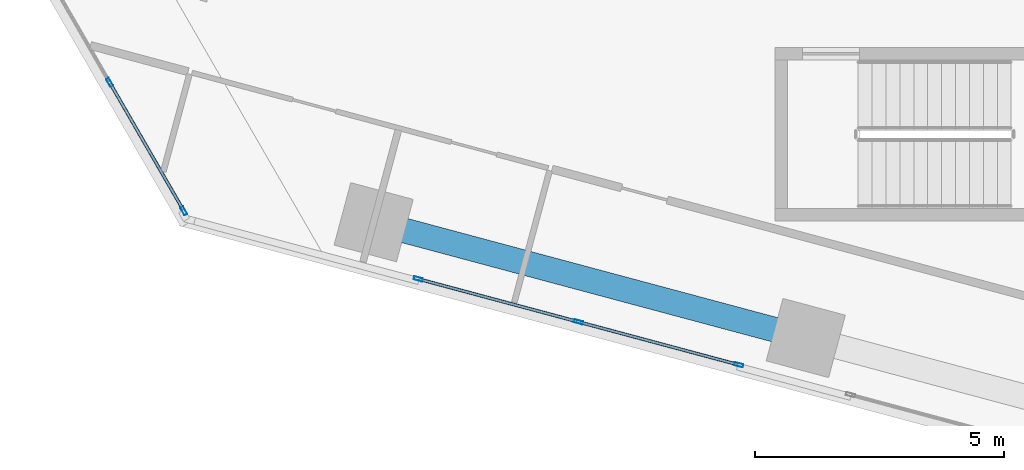
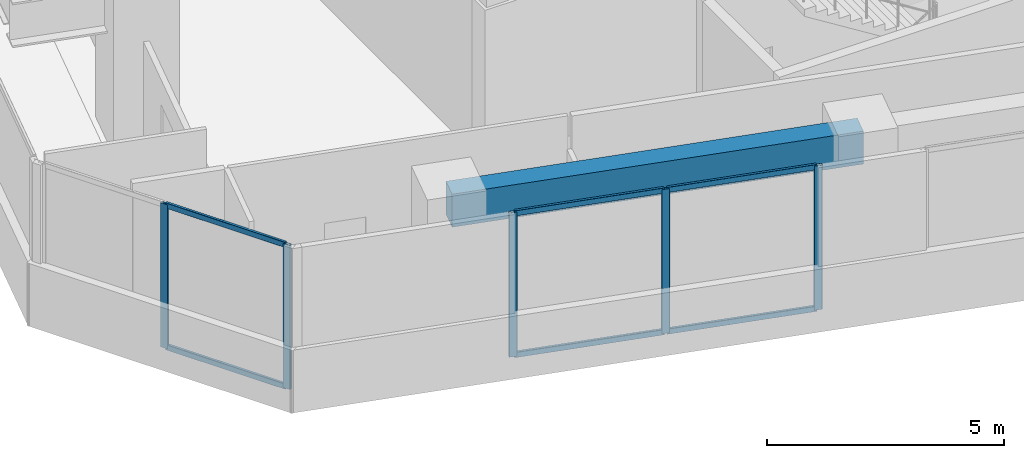
# One storey, part 2 of 26: 11 members, 1 beam, 2 elements without a shape of their own.
"""IFC4 building model written with IfcOpenShell, lengths in metres."""

import ifcopenshell
import ifcopenshell.guid

model = None  # the IFC model being written
_history = None  # IfcOwnerHistory: only IFC2X3 demands one
_inside = {}  # id of a spatial element -> (the spatial element, [elements in it])
_under = {}  # id of a project, library or spatial element -> (it, [spatial elements below it])
_declared = {}  # id of a project -> (the project, [libraries it declares])
_typed = {}  # id of a type object -> (the type object, [elements of that type])
_made_of = {}  # id of a material, layer set ... -> (it, [elements and type objects made of it])


def new_model(schema):
    """Start an empty IFC model of exactly this schema.

    Asked for "IFC4X3", IfcOpenShell would pick the latest addendum, in which some entities
    have other attributes; the version numbers below select the first issue.
    IFC2X3 requires an IfcOwnerHistory on every rooted entity: one is made here for all.
    """
    global model, _history
    if schema == "IFC4X3":
        model = ifcopenshell.file(schema_version=(4, 3, 0, 0))
    else:
        model = ifcopenshell.file(schema=schema)
    _inside.clear()
    _under.clear()
    _declared.clear()
    _typed.clear()
    _made_of.clear()
    _history = None
    if model.schema == "IFC2X3":
        org = make("IfcOrganization", Name="unknown")
        user = make(
            "IfcPersonAndOrganization",
            ThePerson=make("IfcPerson", FamilyName="unknown"),
            TheOrganization=org,
        )
        app = make(
            "IfcApplication",
            ApplicationDeveloper=org,
            Version="unknown",
            ApplicationFullName="unknown",
            ApplicationIdentifier="unknown",
        )
        _history = make(
            "IfcOwnerHistory",
            OwningUser=user,
            OwningApplication=app,
            ChangeAction="ADDED",
            CreationDate=0,
        )
    return model


def make(cls, **values):
    """One entity of the class cls with the attributes given. An attribute that is None is left unset."""
    return model.create_entity(
        cls, **{name: value for name, value in values.items() if value is not None}
    )


def rooted(cls, **values):
    """An entity with a GlobalId (a new one), such as an element, a storey or a relation."""
    return make(cls, GlobalId=ifcopenshell.guid.new(), OwnerHistory=_history, **values)


def si_unit(unit_type, name, prefix=None):
    """IfcSIUnit, for example si_unit("LENGTHUNIT", "METRE", prefix="MILLI")."""
    return make("IfcSIUnit", UnitType=unit_type, Prefix=prefix, Name=name)


def assignment(units):
    """IfcUnitAssignment: the units of a project."""
    return None if units is None else make("IfcUnitAssignment", Units=units)


def point(xyz):
    """IfcCartesianPoint."""
    return None if xyz is None else make("IfcCartesianPoint", Coordinates=xyz)


def direction(xyz):
    """IfcDirection."""
    return None if xyz is None else make("IfcDirection", DirectionRatios=xyz)


def frame(location, z_axis=None, x_axis=None):
    """IfcAxis2Placement3D, a coordinate frame: its origin and axes. An axis left out is left unset."""
    return make(
        "IfcAxis2Placement3D",
        Location=point(location),
        Axis=direction(z_axis),
        RefDirection=direction(x_axis),
    )


def frame_2d(location, x_axis=None):
    """IfcAxis2Placement2D, a coordinate frame in the plane: its origin and x axis."""
    return make(
        "IfcAxis2Placement2D", Location=point(location), RefDirection=direction(x_axis)
    )


def origin():
    """The frame at (0, 0, 0) with its axes left unset."""
    return frame((0.0, 0.0, 0.0))


def origin_2d():
    """The frame at (0, 0) in the plane with its x axis left unset."""
    return frame_2d((0.0, 0.0))


def place(relative_to, where):
    """IfcLocalPlacement: puts the frame where relative to a parent placement (None: the world)."""
    return make(
        "IfcLocalPlacement", PlacementRelTo=relative_to, RelativePlacement=where
    )


def context(
    kind, dimensions, precision=None, world=None, true_north=None, identifier=None
):
    """IfcGeometricRepresentationContext, for example the 3D "Model" context."""
    return make(
        "IfcGeometricRepresentationContext",
        ContextIdentifier=identifier,
        ContextType=kind,
        CoordinateSpaceDimension=dimensions,
        Precision=precision,
        WorldCoordinateSystem=world,
        TrueNorth=true_north,
    )


def subcontext(parent, identifier, kind, view, scale=None):
    """IfcGeometricRepresentationSubContext, for example "Body" below "Model"."""
    return make(
        "IfcGeometricRepresentationSubContext",
        ContextIdentifier=identifier,
        ContextType=kind,
        ParentContext=parent,
        TargetScale=scale,
        TargetView=view,
    )


def project(units=None, contexts=None):
    """IfcProject with its units and contexts."""
    return rooted(
        "IfcProject",
        Name="project",
        RepresentationContexts=contexts,
        UnitsInContext=assignment(units),
    )


def spatial(cls, under=None, at=None, **own):
    """A site, building, storey or space (cls), placed at a placement, below another one or the project."""
    s = rooted(cls, ObjectPlacement=at, **own)
    if under is not None:
        _under.setdefault(under.id(), (under, []))[1].append(s)
    return s


def profile(cls, at=None, kind="AREA", **sizes):
    """A parametric profile (cls). Its sizes go by their IFC names, for example OverallWidth=200.0."""
    return make(cls, ProfileType=kind, Position=at, **sizes)


def rectangle(**sizes):
    """IfcRectangleProfileDef."""
    return profile("IfcRectangleProfileDef", **sizes)


def hollow_rectangle(**sizes):
    """IfcRectangleHollowProfileDef."""
    return profile("IfcRectangleHollowProfileDef", **sizes)


def extrude(swept, where, along, depth):
    """IfcExtrudedAreaSolid: the profile swept, set in the frame where, extruded along a direction by depth."""
    return make(
        "IfcExtrudedAreaSolid",
        SweptArea=swept,
        Position=where,
        ExtrudedDirection=direction(along),
        Depth=depth,
    )


def shape(context_of_items, identifier, shape_type, items):
    """IfcShapeRepresentation: the items that make up one representation, for example the "Body"."""
    return make(
        "IfcShapeRepresentation",
        ContextOfItems=context_of_items,
        RepresentationIdentifier=identifier,
        RepresentationType=shape_type,
        Items=items,
    )


def source(mapping_origin, context_of_items, identifier, shape_type, items):
    """IfcRepresentationMap: a shape defined once, which mapped items show again and again."""
    return make(
        "IfcRepresentationMap",
        MappingOrigin=mapping_origin,
        MappedRepresentation=shape(context_of_items, identifier, shape_type, items),
    )


def transform(
    local_origin,
    x_axis=None,
    y_axis=None,
    z_axis=None,
    scale=None,
    scale2=None,
    scale3=None,
    uniform=True,
):
    """IfcCartesianTransformationOperator3D, or its non-uniform kind. x_axis, y_axis, z_axis: its Axis1, 2, 3."""
    if uniform:
        return make(
            "IfcCartesianTransformationOperator3D",
            Axis1=direction(x_axis),
            Axis2=direction(y_axis),
            LocalOrigin=point(local_origin),
            Scale=scale,
            Axis3=direction(z_axis),
        )
    return make(
        "IfcCartesianTransformationOperator3DnonUniform",
        Axis1=direction(x_axis),
        Axis2=direction(y_axis),
        LocalOrigin=point(local_origin),
        Scale=scale,
        Axis3=direction(z_axis),
        Scale2=scale2,
        Scale3=scale3,
    )


def mapped(mapping_source, mapping_target):
    """IfcMappedItem: shows the shape of a source again, moved by a transform."""
    return make(
        "IfcMappedItem", MappingSource=mapping_source, MappingTarget=mapping_target
    )


def material(Name=None, Category=None):
    """IfcMaterial."""
    return make("IfcMaterial", Name=Name, Category=Category)


def material_profile(
    of_material, cross_section, Name=None, Category=None, Priority=None
):
    """IfcMaterialProfile: a cross section and its material."""
    return make(
        "IfcMaterialProfile",
        Name=Name,
        Material=of_material,
        Profile=cross_section,
        Priority=Priority,
        Category=Category,
    )


def profile_set(profiles, Name=None, composite=None):
    """IfcMaterialProfileSet."""
    return make(
        "IfcMaterialProfileSet",
        Name=Name,
        MaterialProfiles=profiles,
        CompositeProfile=composite,
    )


def made_of(thing, what):
    """Note that an element or type object is made of a material, layer set ...; save() writes the relation."""
    if what is not None:
        _made_of.setdefault(what.id(), (what, []))[1].append(thing)
    return thing


def type_object(cls, material=None, **own):
    """A type object (cls), such as IfcWallType, which elements share."""
    return made_of(rooted(cls, **own), material)


def element(
    cls,
    number,
    at=None,
    inside=None,
    cuts=None,
    type_object=None,
    material=None,
    context=None,
    identifier="Body",
    shape_type=None,
    held_by="IfcProductDefinitionShape",
    body=None,
    shapes=None,
    **own,
):
    """One element of the class cls, such as IfcWall. Its Tag is "e" and its number.

    at: its placement. inside: the storey or other place that contains it. cuts: it is an
    opening in that element (IfcRelVoidsElement). A single representation is given by context,
    identifier, shape_type and body (its items); several are given by shapes. held_by: the class
    of the entity that holds the representations. save() writes the other relations.
    """
    e = rooted(cls, Tag="e%d" % number, ObjectPlacement=at, **own)
    if body is not None:
        shapes = [shape(context, identifier, shape_type, body)]
    if shapes is not None:
        e.Representation = make(held_by, Representations=shapes)
    if inside is not None:
        _inside.setdefault(inside.id(), (inside, []))[1].append(e)
    if cuts is not None:
        rooted(
            "IfcRelVoidsElement", RelatingBuildingElement=cuts, RelatedOpeningElement=e
        )
    if type_object is not None:
        _typed.setdefault(type_object.id(), (type_object, []))[1].append(e)
    return made_of(e, material)


def aggregate(whole, parts):
    """IfcRelAggregates: a whole, such as a stair, and the parts it consists of."""
    return rooted("IfcRelAggregates", RelatingObject=whole, RelatedObjects=parts)


def save(model, path):
    """Write the relations noted so far, then the file.

    IfcRelAggregates (storeys below a building ...), IfcRelContainedInSpatialStructure (elements
    in a storey), IfcRelDefinesByType, IfcRelAssociatesMaterial and IfcRelDeclares: one each for
    every whole, place, type object, material and project.
    """
    for whole, parts in _under.values():
        aggregate(whole, parts)
    for where, things in _inside.values():
        rooted(
            "IfcRelContainedInSpatialStructure",
            RelatedElements=things,
            RelatingStructure=where,
        )
    for kind, things in _typed.values():
        rooted("IfcRelDefinesByType", RelatedObjects=things, RelatingType=kind)
    for what, things in _made_of.values():
        rooted("IfcRelAssociatesMaterial", RelatedObjects=things, RelatingMaterial=what)
    for by, libraries in _declared.values():
        rooted("IfcRelDeclares", RelatingContext=by, RelatedDefinitions=libraries)
    model.write(path)


model = new_model("IFC4")

# Units and contexts
model_context = context("Model", 3, precision=1e-05, world=origin(), true_north=direction((0.0, 1.0)))
body_context = subcontext(model_context, "Body", "Model", "MODEL_VIEW")
ifc_project = project(units=[si_unit("LENGTHUNIT", "METRE"), si_unit("AREAUNIT", "SQUARE_METRE"), si_unit("VOLUMEUNIT", "CUBIC_METRE"), si_unit("PLANEANGLEUNIT", "RADIAN"), si_unit("MASSUNIT", "GRAM", prefix="KILO")], contexts=[model_context])

# Site, building, storey
site_placement = place(None, origin())
site = spatial("IfcSite", under=ifc_project, at=site_placement, CompositionType="ELEMENT")
building_placement = place(site_placement, origin())
building = spatial("IfcBuilding", under=site, at=building_placement, Name="Torre Montelarca", CompositionType="ELEMENT")
storey_placement = place(building_placement, frame((0.0, 0.0, 100.0)))
storey = spatial("IfcBuildingStorey", under=building, at=storey_placement, Name="L22", CompositionType="ELEMENT", Elevation=100.0)

# Beam
ifc_material_1 = material(Name="Concrete C55/67", Category="concrete")
ifc_material_profile_1 = material_profile(ifc_material_1, rectangle(XDim=0.5, YDim=0.85009765625, at=origin_2d()), Name="RCB500X850", Category="concrete")
ifc_profile_set_1 = profile_set([ifc_material_profile_1], Name="Concrete C55/67")
beam_type = type_object("IfcBeamType", Name="BM-SP-RC850-EXT", PredefinedType="SPANDREL", material=ifc_profile_set_1)
shared_shape_1 = source(origin(), body_context, "Body", "SweptSolid", [
    extrude(rectangle(XDim=0.5, YDim=0.85009765625, at=origin_2d()), origin(), (0.0, 0.0, 1.0), 9.0),
])
beam_placement = place(storey_placement, frame((4.97412109375, 18.621337890625, 3.534912109375), z_axis=(0.965926740751, -0.25881563226, 0.0), x_axis=(0.25881563226, 0.965926740751, 0.0)))
element("IfcBeam", 1, at=beam_placement, inside=storey, type_object=beam_type, Name="L22 Grid Girder X 9.0-18.0 at Y=14.8", PredefinedType="SPANDREL", context=body_context, shape_type="MappedRepresentation", body=[
    mapped(shared_shape_1, transform((0.0, 0.0, 0.0), scale=1.0)),
])

# Curtain wall, members
ifc_material_2 = material(Name="Insulated low-E laminated glass", Category="glass")
curtain_wall_type = type_object("IfcCurtainWallType", Name="CW-SYS-Z1", PredefinedType="USERDEFINED", material=ifc_material_2)
curtain_wall_1_placement = place(storey_placement, origin())
curtain_wall_1 = element("IfcCurtainWall", 2, at=curtain_wall_1_placement, inside=storey, type_object=curtain_wall_type, Name="L22 Curtain Wall Run CW-T3-L22-E01-B1", ObjectType="UNITISED GLAZING", PredefinedType="USERDEFINED")
ifc_material_3 = material(Name="Anodised aluminium AA 6063-T6", Category="aluminium")
ifc_material_profile_2 = material_profile(ifc_material_3, hollow_rectangle(XDim=0.06494140625, YDim=0.139892578125, WallThickness=0.00390625, InnerFilletRadius=0.00390625, OuterFilletRadius=0.008056640625, at=origin_2d()), Name="ALU65X140X4", Category="aluminium")
ifc_profile_set_2 = profile_set([ifc_material_profile_2], Name="Anodised aluminium AA 6063-T6")
member_type_1 = type_object("IfcMemberType", Name="CWT-ALU140", PredefinedType="USERDEFINED", material=ifc_profile_set_2)
shared_shape_2 = source(origin(), body_context, "Body", "SweptSolid", [
    extrude(hollow_rectangle(XDim=0.06494140625, YDim=0.139892578125, WallThickness=0.00390625, InnerFilletRadius=0.00390625, OuterFilletRadius=0.008056640625, at=origin_2d()), origin(), (0.0, 0.0, 1.0), 3.2724609375),
])
member_1_placement = place(storey_placement, frame((5.9033203125, 17.4716796875, 0.032470703125), z_axis=(0.965928403786, -0.258809425561, 0.0), x_axis=(0.258809425561, 0.965928403786, 0.0)))
member_1 = element("IfcMember", 3, at=member_1_placement, type_object=member_type_1, Name="CW transom 1.1", ObjectType="TRANSOM", PredefinedType="USERDEFINED", context=body_context, shape_type="MappedRepresentation", body=[
    mapped(shared_shape_2, transform((0.0, 0.0, 0.0), scale=1.0)),
])
member_2_placement = place(storey_placement, frame((5.9033203125, 17.4716796875, 3.6875), z_axis=(0.965928403786, -0.258809425561, 0.0), x_axis=(0.258809425561, 0.965928403786, 0.0)))
member_2 = element("IfcMember", 4, at=member_2_placement, type_object=member_type_1, Name="CW transom 1.2", ObjectType="TRANSOM", PredefinedType="USERDEFINED", context=body_context, shape_type="MappedRepresentation", body=[
    mapped(shared_shape_2, transform((0.0, 0.0, 0.0), scale=1.0)),
])
member_3_placement = place(storey_placement, frame((9.127197265625, 16.60791015625, 0.032470703125), z_axis=(0.965909750694, -0.258879032587, 0.0), x_axis=(0.258879032587, 0.965909750694, 0.0)))
member_3 = element("IfcMember", 5, at=member_3_placement, type_object=member_type_1, Name="CW transom 2.1", ObjectType="TRANSOM", PredefinedType="USERDEFINED", context=body_context, shape_type="MappedRepresentation", body=[
    mapped(shared_shape_2, transform((0.0, 0.0, 0.0), scale=1.0)),
])
member_4_placement = place(storey_placement, frame((9.127197265625, 16.60791015625, 3.6875), z_axis=(0.965909750694, -0.258879032587, 0.0), x_axis=(0.258879032587, 0.965909750694, 0.0)))
member_4 = element("IfcMember", 6, at=member_4_placement, type_object=member_type_1, Name="CW transom 2.2", ObjectType="TRANSOM", PredefinedType="USERDEFINED", context=body_context, shape_type="MappedRepresentation", body=[
    mapped(shared_shape_2, transform((0.0, 0.0, 0.0), scale=1.0)),
])

curtain_wall_2_placement = place(storey_placement, origin())
curtain_wall_2 = element("IfcCurtainWall", 7, at=curtain_wall_2_placement, inside=storey, type_object=curtain_wall_type, Name="L22 Curtain Wall Run CW-T3-L22-E11-B1", ObjectType="UNITISED GLAZING", PredefinedType="USERDEFINED")
shared_shape_3 = source(origin(), body_context, "Body", "SweptSolid", [
    extrude(hollow_rectangle(XDim=0.06494140625, YDim=0.139892578125, WallThickness=0.00390625, InnerFilletRadius=0.00390625, OuterFilletRadius=0.008056640625, at=origin_2d()), origin(), (0.0, 0.0, 1.0), 2.91845703125),
])
member_5_placement = place(storey_placement, frame((-0.320556640625, 21.405517578125, 0.032470703125), z_axis=(0.499980718146, -0.866036535882, 0.0), x_axis=(0.866036535882, 0.499980718146, 0.0)))
member_5 = element("IfcMember", 8, at=member_5_placement, type_object=member_type_1, Name="CW transom 2.1", ObjectType="TRANSOM", PredefinedType="USERDEFINED", context=body_context, shape_type="MappedRepresentation", body=[
    mapped(shared_shape_3, transform((0.0, 0.0, 0.0), scale=1.0)),
])
member_6_placement = place(storey_placement, frame((-0.320556640625, 21.405517578125, 3.6875), z_axis=(0.499980718146, -0.866036535882, 0.0), x_axis=(0.866036535882, 0.499980718146, 0.0)))
member_6 = element("IfcMember", 9, at=member_6_placement, type_object=member_type_1, Name="CW transom 2.2", ObjectType="TRANSOM", PredefinedType="USERDEFINED", context=body_context, shape_type="MappedRepresentation", body=[
    mapped(shared_shape_3, transform((0.0, 0.0, 0.0), scale=1.0)),
])

# Member
ifc_material_profile_3 = material_profile(ifc_material_3, hollow_rectangle(XDim=0.06494140625, YDim=0.179931640625, WallThickness=0.00390625, InnerFilletRadius=0.00390625, OuterFilletRadius=0.008056640625, at=origin_2d()), Name="ALU65X180X4", Category="aluminium")
ifc_profile_set_3 = profile_set([ifc_material_profile_3], Name="Anodised aluminium AA 6063-T6")
member_type_2 = type_object("IfcMemberType", Name="CWM-ALU180", PredefinedType="MULLION", material=ifc_profile_set_3)
shared_shape_4 = source(origin(), body_context, "Body", "SweptSolid", [
    extrude(hollow_rectangle(XDim=0.06494140625, YDim=0.179931640625, WallThickness=0.00390625, InnerFilletRadius=0.00390625, OuterFilletRadius=0.008056640625, at=origin_2d()), origin(), (0.0, 0.0, 1.0), 3.719970703125),
])
member_7_placement = place(storey_placement, frame((5.871826171875, 17.47998046875, 0.0), z_axis=(0.0, 0.0, 1.0), x_axis=(0.258825077437, 0.96592420991, 0.0)))
member_7 = element("IfcMember", 10, at=member_7_placement, type_object=member_type_2, Name="CW mullion 1", PredefinedType="MULLION", context=body_context, shape_type="MappedRepresentation", body=[
    mapped(shared_shape_4, transform((0.0, 0.0, 0.0), scale=1.0)),
])

member_8_placement = place(storey_placement, frame((9.095703125, 16.6162109375, 0.0), z_axis=(0.0, 0.0, 1.0), x_axis=(0.258825077437, 0.96592420991, 0.0)))
member_8 = element("IfcMember", 11, at=member_8_placement, type_object=member_type_2, Name="CW mullion 2", PredefinedType="MULLION", context=body_context, shape_type="MappedRepresentation", body=[
    mapped(shared_shape_4, transform((0.0, 0.0, 0.0), scale=1.0)),
])

member_9_placement = place(storey_placement, frame((12.319580078125, 15.75244140625, 0.0), z_axis=(0.0, 0.0, 1.0), x_axis=(0.258825077437, 0.96592420991, 0.0)))
member_9 = element("IfcMember", 12, at=member_9_placement, type_object=member_type_2, Name="CW mullion 3", PredefinedType="MULLION", context=body_context, shape_type="MappedRepresentation", body=[
    mapped(shared_shape_4, transform((0.0, 0.0, 0.0), scale=1.0)),
])

aggregate(curtain_wall_1, [member_7, member_8, member_9, member_1, member_2, member_3, member_4])

member_10_placement = place(storey_placement, frame((-0.3369140625, 21.43359375, 0.0), z_axis=(0.0, 0.0, 1.0), x_axis=(0.866024921148, 0.50000083595, 0.0)))
member_10 = element("IfcMember", 13, at=member_10_placement, type_object=member_type_2, Name="CW mullion 2", PredefinedType="MULLION", context=body_context, shape_type="MappedRepresentation", body=[
    mapped(shared_shape_4, transform((0.0, 0.0, 0.0), scale=1.0)),
])

member_11_placement = place(storey_placement, frame((1.155029296875, 18.849853515625, 0.0), z_axis=(0.0, 0.0, 1.0), x_axis=(0.866024921148, 0.50000083595, 0.0)))
member_11 = element("IfcMember", 14, at=member_11_placement, type_object=member_type_2, Name="CW mullion 3", PredefinedType="MULLION", context=body_context, shape_type="MappedRepresentation", body=[
    mapped(shared_shape_4, transform((0.0, 0.0, 0.0), scale=1.0)),
])

aggregate(curtain_wall_2, [member_10, member_11, member_5, member_6])

save(model, "model.ifc")
